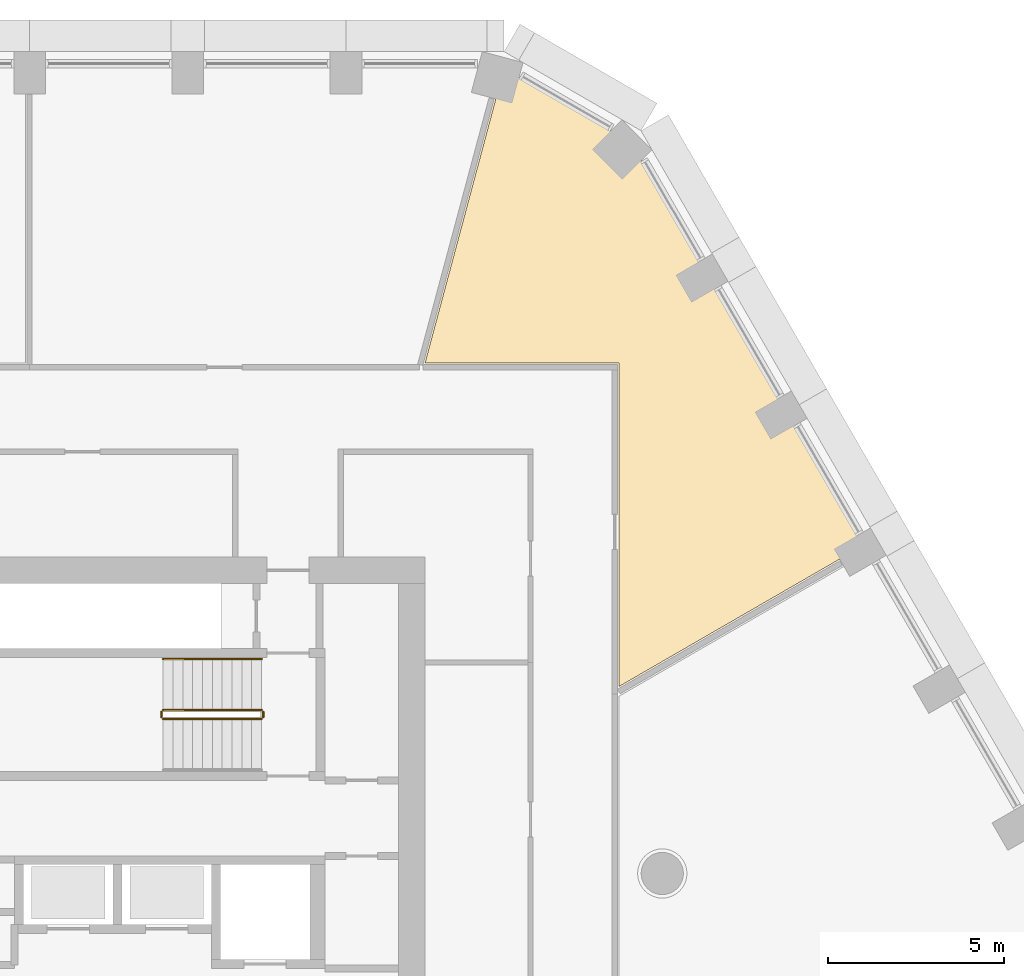
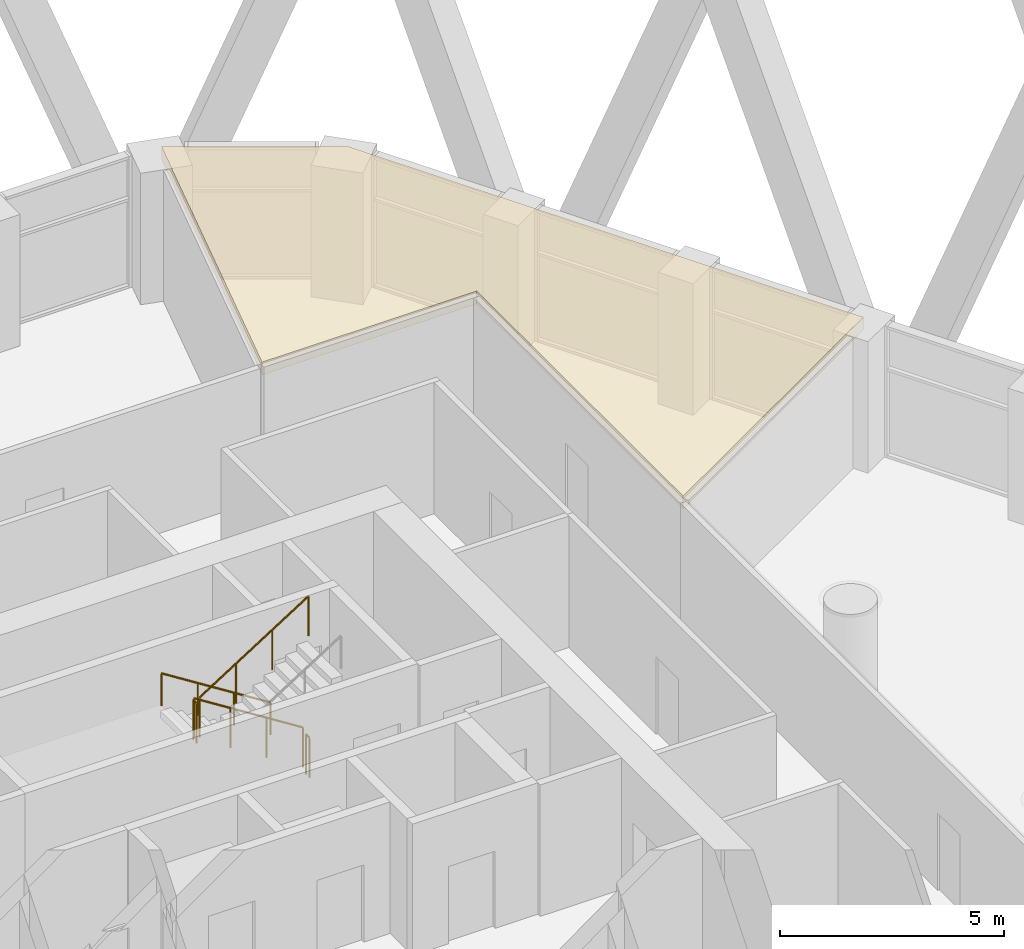
# One storey, part 22 of 24: 5 railings, 1 covering.
"""IFC4 building model written with IfcOpenShell, lengths in metres."""

from ifc_helpers import new_model, si_unit, direction, frame, origin, origin_2d, place, context, subcontext, project, spatial, polyline, circle, outline, extrude, material, layer, layer_set, type_object, element, save


model = new_model("IFC4")

# Units and contexts
model_context = context("Model", 3, precision=1e-05, world=origin(), true_north=direction((0.0, 1.0)))
body_context = subcontext(model_context, "Body", "Model", "MODEL_VIEW")
ifc_project = project(units=[si_unit("LENGTHUNIT", "METRE"), si_unit("AREAUNIT", "SQUARE_METRE"), si_unit("VOLUMEUNIT", "CUBIC_METRE"), si_unit("PLANEANGLEUNIT", "RADIAN"), si_unit("MASSUNIT", "GRAM", prefix="KILO")], contexts=[model_context])

# Site, building, storey
site_placement = place(None, origin())
site = spatial("IfcSite", under=ifc_project, at=site_placement, CompositionType="ELEMENT")
building_placement = place(site_placement, origin())
building = spatial("IfcBuilding", under=site, at=building_placement, Name="Dhurran Vertical Campus", CompositionType="ELEMENT")
storey_placement = place(building_placement, frame((0.0, 0.0, 132.60009765625)))
storey = spatial("IfcBuildingStorey", under=building, at=storey_placement, Name="L32", CompositionType="ELEMENT", Elevation=132.60009765625)

# Railings
ifc_material_1 = material(Name="Stainless steel balustrade", Category="steel")
railing_type_1 = type_object("IfcRailingType", Name="co-RL-GUARD-1100", PredefinedType="GUARDRAIL", material=ifc_material_1)
railing_1_placement = place(storey_placement, frame((11.10009765625, 9.14990234375, 0.17724609375)))
element("IfcRailing", 1, at=railing_1_placement, inside=storey, type_object=railing_type_1, Name="L32 ST2 stair guard 1", PredefinedType="GUARDRAIL", context=body_context, shape_type="SweptSolid", body=[
    extrude(circle(Radius=0.02392578125, at=origin_2d()), frame((0.0, 0.0, 1.076171875), z_axis=(-0.844908973607, 0.0, 0.534910110503), x_axis=(0.0, -1.0, 0.0)), (0.0, 0.0, 1.0), 3.31396484375),
    extrude(circle(Radius=0.02099609375, at=origin_2d()), origin(), (0.0, 0.0, 1.0), 1.052001953125),
    extrude(circle(Radius=0.02099609375, at=origin_2d()), frame((-0.933349609375, 0.0, 0.5908203125)), (0.0, 0.0, 1.0), 1.052001953125),
    extrude(circle(Radius=0.02099609375, at=origin_2d()), frame((-1.86669921875, 0.0, 1.181884765625)), (0.0, 0.0, 1.0), 1.052001953125),
    extrude(circle(Radius=0.02099609375, at=origin_2d()), frame((-2.800048828125, 0.0, 1.772705078125)), (0.0, 0.0, 1.0), 1.052001953125),
])
railing_2_placement = place(storey_placement, frame((8.25, 9.10009765625, 1.949951171875)))
element("IfcRailing", 2, at=railing_2_placement, inside=storey, type_object=railing_type_1, Name="L32 ST2 stair guard 2", PredefinedType="GUARDRAIL", context=body_context, shape_type="SweptSolid", body=[
    extrude(circle(Radius=0.02392578125, at=origin_2d()), frame((0.0, 0.0, 1.076171875), z_axis=(0.0, -1.0, 0.0), x_axis=(1.0, 0.0, 0.0)), (0.0, 0.0, 1.0), 0.150146484375),
    extrude(circle(Radius=0.02099609375, at=origin_2d()), origin(), (0.0, 0.0, 1.0), 1.052001953125),
    extrude(circle(Radius=0.02099609375, at=origin_2d()), frame((0.0, -0.150146484375, 0.0)), (0.0, 0.0, 1.0), 1.052001953125),
])
railing_3_placement = place(storey_placement, frame((8.300048828125, 8.89990234375, 2.127197265625)))
element("IfcRailing", 3, at=railing_3_placement, inside=storey, type_object=railing_type_1, Name="L32 ST2 stair guard 3", PredefinedType="GUARDRAIL", context=body_context, shape_type="SweptSolid", body=[
    extrude(circle(Radius=0.02392578125, at=origin_2d()), frame((0.0, 0.0, 1.076171875), z_axis=(0.844908973607, 0.0, 0.534910110503), x_axis=(0.0, 1.0, 0.0)), (0.0, 0.0, 1.0), 3.31396484375),
    extrude(circle(Radius=0.02099609375, at=origin_2d()), origin(), (0.0, 0.0, 1.0), 1.052001953125),
    extrude(circle(Radius=0.02099609375, at=origin_2d()), frame((0.933349609375, 0.0, 0.5908203125)), (0.0, 0.0, 1.0), 1.052001953125),
    extrude(circle(Radius=0.02099609375, at=origin_2d()), frame((1.86669921875, 0.0, 1.181884765625)), (0.0, 0.0, 1.0), 1.052001953125),
    extrude(circle(Radius=0.02099609375, at=origin_2d()), frame((2.800048828125, 0.0, 1.772705078125)), (0.0, 0.0, 1.0), 1.052001953125),
])
railing_4_placement = place(storey_placement, frame((11.14990234375, 9.10009765625, 0.0)))
element("IfcRailing", 4, at=railing_4_placement, inside=storey, type_object=railing_type_1, Name="L32 ST2 stair guard 4", PredefinedType="GUARDRAIL", context=body_context, shape_type="SweptSolid", body=[
    extrude(circle(Radius=0.02392578125, at=origin_2d()), frame((0.0, 0.0, 1.076171875), z_axis=(0.0, -1.0, 0.0), x_axis=(1.0, 0.0, 0.0)), (0.0, 0.0, 1.0), 0.150146484375),
    extrude(circle(Radius=0.02099609375, at=origin_2d()), origin(), (0.0, 0.0, 1.0), 1.052001953125),
    extrude(circle(Radius=0.02099609375, at=origin_2d()), frame((0.0, -0.150146484375, 0.0)), (0.0, 0.0, 1.0), 1.052001953125),
])
ifc_material_2 = material(Name="Stainless steel handrail", Category="steel")
railing_type_2 = type_object("IfcRailingType", Name="co-RL-HANDRAIL-900", PredefinedType="HANDRAIL", material=ifc_material_2)
railing_5_placement = place(storey_placement, frame((11.10009765625, 10.60009765625, 0.17724609375)))
element("IfcRailing", 5, at=railing_5_placement, inside=storey, type_object=railing_type_2, Name="L32 ST2 stair handrail 1", PredefinedType="HANDRAIL", context=body_context, shape_type="SweptSolid", body=[
    extrude(circle(Radius=0.02392578125, at=origin_2d()), frame((0.0, 0.0, 0.8759765625), z_axis=(-0.844908973607, 0.0, 0.534910110503), x_axis=(0.0, -1.0, 0.0)), (0.0, 0.0, 1.0), 3.31396484375),
    extrude(circle(Radius=0.02099609375, at=origin_2d()), origin(), (0.0, 0.0, 1.0), 0.851806640625),
    extrude(circle(Radius=0.02099609375, at=origin_2d()), frame((-0.933349609375, 0.0, 0.5908203125)), (0.0, 0.0, 1.0), 0.851806640625),
    extrude(circle(Radius=0.02099609375, at=origin_2d()), frame((-1.86669921875, 0.0, 1.181884765625)), (0.0, 0.0, 1.0), 0.851806640625),
    extrude(circle(Radius=0.02099609375, at=origin_2d()), frame((-2.800048828125, 0.0, 1.772705078125)), (0.0, 0.0, 1.0), 0.851806640625),
])

# Covering
ifc_material_3 = material(Name="Mineral fibre ceiling tiles on suspended grid")
ifc_layer = layer(ifc_material_3, 0.35009765625)
ifc_layer_set = layer_set([ifc_layer], Name="Mineral fibre ceiling tiles on suspended grid")
covering_type = type_object("IfcCoveringType", Name="fl-CE-350 suspended ceiling", PredefinedType="CEILING", material=ifc_layer_set)
covering_placement = place(storey_placement, frame((0.0, 0.0, 3.224853515625)))
element("IfcCovering", 6, at=covering_placement, inside=storey, type_object=covering_type, Name="Ceiling 32-30", PredefinedType="CEILING", context=body_context, shape_type="SweptSolid", body=[
    extrude(outline(polyline([(21.27001953125, 19.02001953125), (15.7490234375, 19.02001953125), (17.9951171875, 27.40087890625), (21.589111328125, 25.324951171875), (28.222900390625, 13.8349609375), (21.27001953125, 9.821044921875), (21.27001953125, 19.02001953125)])), origin(), (0.0, 0.0, 1.0), 0.35009765625),
])

save(model, "model.ifc")
